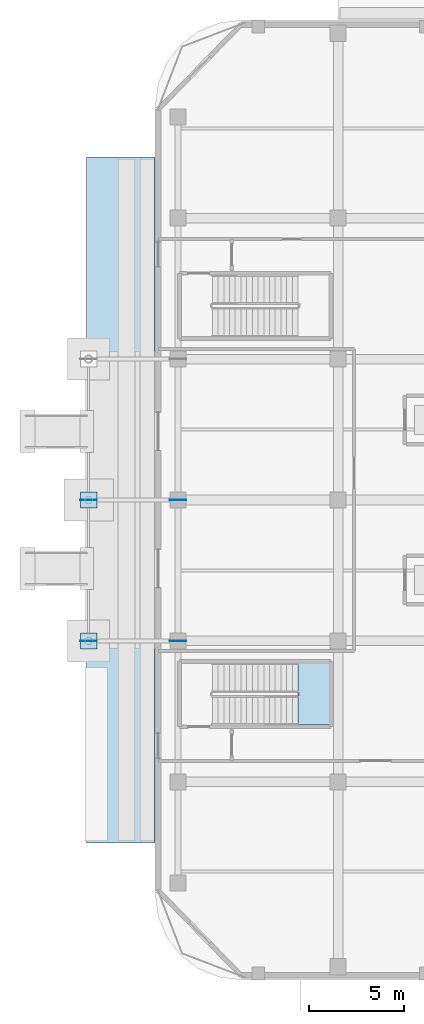
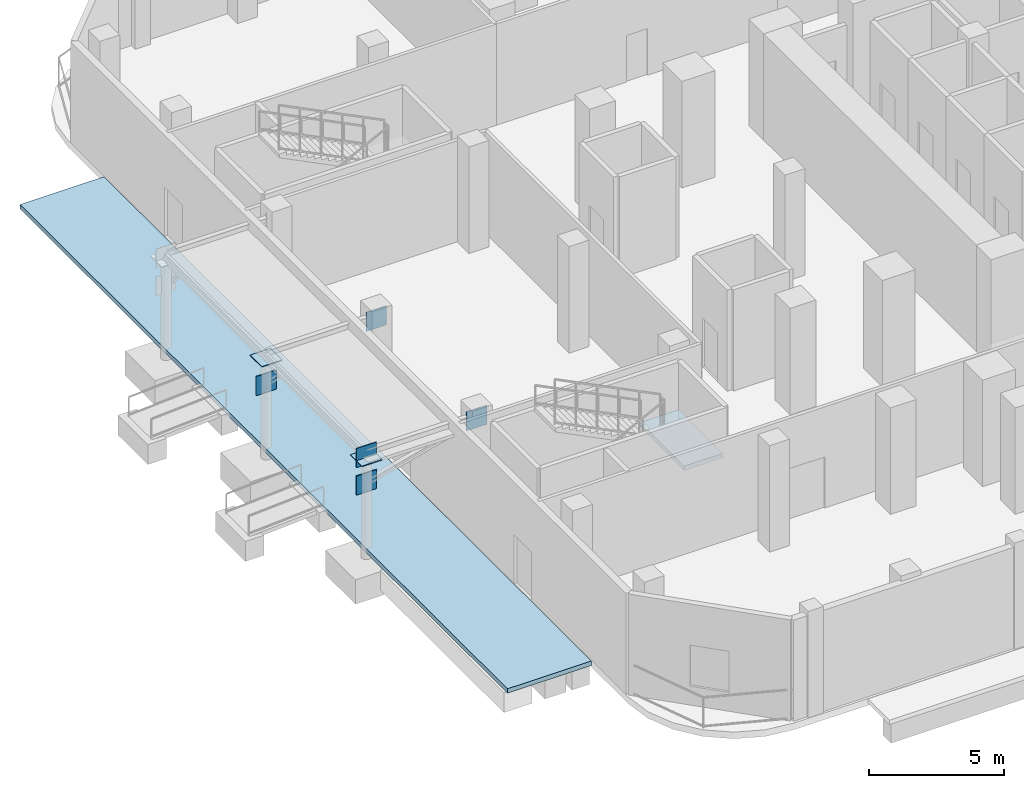
# One storey, part 9 of 24: 7 plates, 2 slabs, 1 element without a shape of its own.
"""IFC4 building model written with IfcOpenShell, lengths in metres."""

from ifc_helpers import new_model, si_unit, direction, frame, origin, origin_2d, place, context, subcontext, project, spatial, polyline, rectangle, outline, extrude, material, layer, layer_set, type_object, element, aggregate, save


model = new_model("IFC4")

# Units and contexts
model_context = context("Model", 3, precision=1e-05, world=origin(), true_north=direction((0.0, 1.0)))
body_context = subcontext(model_context, "Body", "Model", "MODEL_VIEW")
ifc_project = project(units=[si_unit("LENGTHUNIT", "METRE"), si_unit("AREAUNIT", "SQUARE_METRE"), si_unit("VOLUMEUNIT", "CUBIC_METRE"), si_unit("PLANEANGLEUNIT", "RADIAN"), si_unit("MASSUNIT", "GRAM", prefix="KILO")], contexts=[model_context])

# Site, building, storey
site_placement = place(None, origin())
site = spatial("IfcSite", under=ifc_project, at=site_placement, CompositionType="ELEMENT")
building_placement = place(site_placement, origin())
building = spatial("IfcBuilding", under=site, at=building_placement, Name="Khorvyn Point Tower", CompositionType="ELEMENT")
storey_placement = place(building_placement, origin())
storey = spatial("IfcBuildingStorey", under=building, at=storey_placement, Name="L01", CompositionType="ELEMENT", Elevation=0.0)

# Stair, slab
ifc_material_1 = material(Name="Concrete C40/50", Category="concrete")
stair_type = type_object("IfcStairType", Name="School Podium Concrete C40/50 Wide Exit Stair", PredefinedType="HALF_TURN_STAIR", material=ifc_material_1)
stair_placement = place(storey_placement, origin())
stair = element("IfcStair", 1, at=stair_placement, inside=storey, type_object=stair_type, Name="L01 School Podium Smokeproof Stair Southwest", PredefinedType="HALF_TURN_STAIR")
ifc_layer_1 = layer(ifc_material_1, 0.199951171875)
ifc_layer_set_1 = layer_set([ifc_layer_1], Name="Concrete C40/50 Stair Landing Slab 200")
slab_type_1 = type_object("IfcSlabType", Name="Concrete C40/50 Stair Landing Slab 200", PredefinedType="LANDING", material=ifc_layer_set_1)
slab_1_placement = place(storey_placement, frame((0.0, 0.0, 2.199951171875)))
slab_1 = element("IfcSlab", 2, at=slab_1_placement, type_object=slab_type_1, Name="ST-S1 landing 1", PredefinedType="LANDING", context=body_context, shape_type="SweptSolid", body=[
    extrude(outline(polyline([(-26.10009765625, -11.820068359375), (-24.449951171875, -11.820068359375), (-24.449951171875, -8.56005859375), (-26.10009765625, -8.56005859375), (-26.10009765625, -11.820068359375)])), origin(), (0.0, 0.0, 1.0), 0.199951171875),
])
aggregate(stair, [slab_1])

# Slab
ifc_material_2 = material(Name="Precast concrete C35/45", Category="concrete")
ifc_layer_2 = layer(ifc_material_2, 0.199951171875)
ifc_layer_set_2 = layer_set([ifc_layer_2], Name="Precast Concrete C35/45 Forecourt Paving Slab 200")
slab_type_2 = type_object("IfcSlabType", Name="Precast Concrete C35/45 Forecourt Paving Slab 200", PredefinedType="USERDEFINED", material=ifc_layer_set_2)
slab_2_placement = place(storey_placement, frame((0.0, 0.0, -0.199951171875)))
element("IfcSlab", 3, at=slab_2_placement, inside=storey, type_object=slab_type_2, Name="L01 School West Arrival Forecourt Paving", ObjectType="PAVING", PredefinedType="USERDEFINED", context=body_context, shape_type="SweptSolid", body=[
    extrude(outline(polyline([(-37.199951171875, -18.0), (-33.6201171875, -18.0), (-33.6201171875, 18.0), (-37.199951171875, 18.0), (-37.199951171875, -18.0)])), origin(), (0.0, 0.0, 1.0), 0.199951171875),
])

# Plates
ifc_material_3 = material(Name="Steel S450", Category="steel")
ifc_layer_3 = layer(ifc_material_3, 0.031982421875)
ifc_layer_set_3 = layer_set([ifc_layer_3], Name="Steel S450 Exoskeleton End Cap Plate 32")
plate_type = type_object("IfcPlateType", Name="Steel S450 Exoskeleton End Cap Plate 32", PredefinedType="USERDEFINED", material=ifc_layer_set_3)
for number, where, z_axis, x_axis, name in (
    (4, (-37.10009765625, -7.39990234375, 2.419921875), (0.0, 0.0, 1.0), (1.0, 0.0, 0.0), "NP-CN-OUT-W1"),
    (5, (-32.39990234375, -7.39990234375, 3.669921875), (0.0, 0.0, 1.0), (1.0, 0.0, 0.0), "NP-CN-IN-W1"),
    (6, (-37.10009765625, 0.0, 2.419921875), (0.0, 0.0, 1.0), (1.0, 0.0, 0.0), "NP-CN-OUT-W2"),
    (7, (-32.39990234375, 0.0, 3.669921875), (0.0, 0.0, 1.0), (1.0, 0.0, 0.0), "NP-CN-IN-W2"),
):
    element("IfcPlate", number, at=place(storey_placement, frame(where, z_axis=z_axis, x_axis=x_axis)), inside=storey, type_object=plate_type, Name=name, ObjectType="GUSSET", PredefinedType="USERDEFINED", context=body_context, shape_type="SweptSolid", body=[
        extrude(rectangle(XDim=0.860107421875, YDim=0.031982421875, at=origin_2d()), origin(), (0.0, 0.0, 1.0), 0.860107421875),
    ])
for number, where, z_axis, x_axis, name in (
    (8, (-37.10009765625, -7.39990234375, 3.9541015625), (0.0, 0.0, 1.0), (1.0, 0.0, 0.0), "Plate"),
    (9, (-37.10009765625, 0.0, 3.9541015625), (0.0, 0.0, 1.0), (1.0, 0.0, 0.0), "Plate"),
):
    element("IfcPlate", number, at=place(storey_placement, frame(where, z_axis=z_axis, x_axis=x_axis)), inside=storey, type_object=plate_type, Name=name, ObjectType="GUSSET", PredefinedType="USERDEFINED", context=body_context, shape_type="SweptSolid", body=[
        extrude(rectangle(XDim=0.860107421875, YDim=0.860107421875, at=origin_2d()), origin(), (0.0, 0.0, 1.0), 0.031982421875),
    ])
plate_placement = place(storey_placement, frame((-37.10009765625, -7.409912109375, 3.669921875), z_axis=(0.0, 0.0, 1.0), x_axis=(1.0, 0.0, 0.0)))
element("IfcPlate", 10, at=plate_placement, inside=storey, type_object=plate_type, Name="Plate", ObjectType="GUSSET", PredefinedType="USERDEFINED", context=body_context, shape_type="SweptSolid", body=[
    extrude(rectangle(XDim=0.860107421875, YDim=0.031982421875, at=origin_2d()), origin(), (0.0, 0.0, 1.0), 0.860107421875),
])

save(model, "model.ifc")
